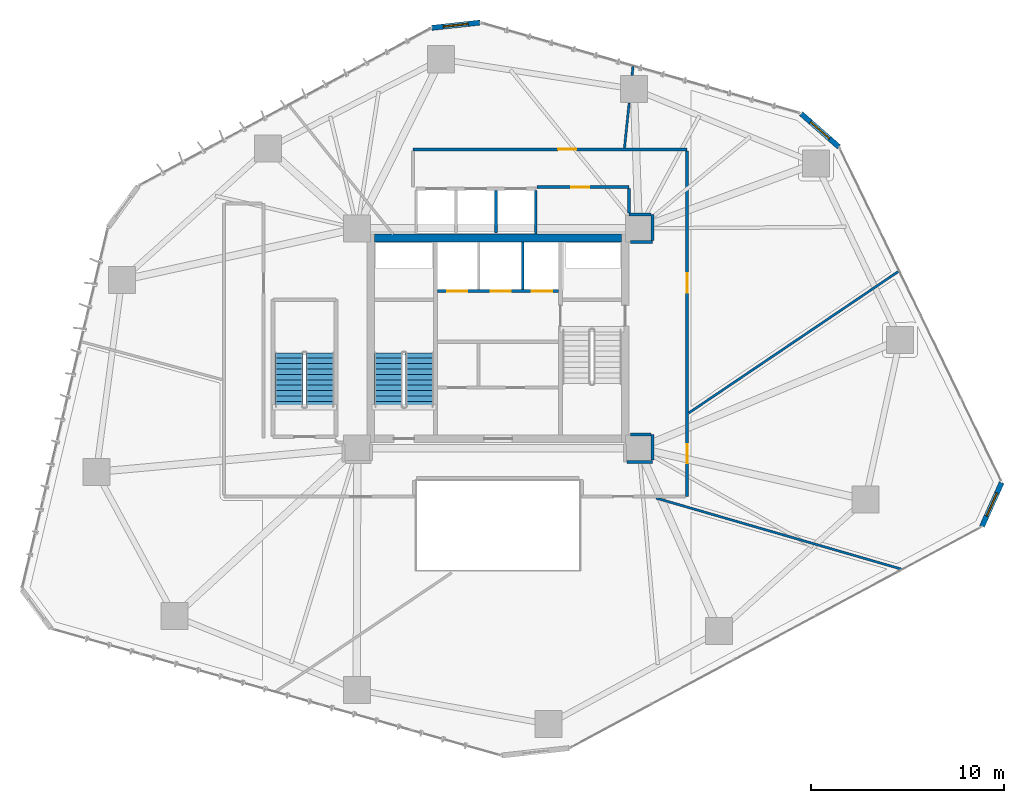
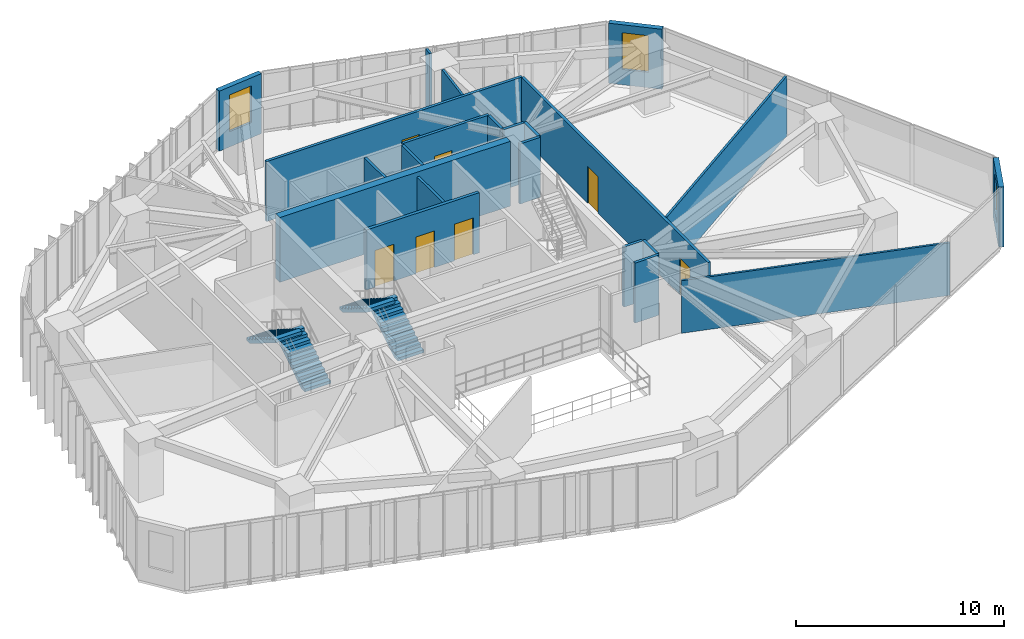
# One storey, part 20 of 24: 22 walls, 7 doors, 4 stair flights, 3 windows, 10 openings, 2 elements without a shape of their own.
"""IFC4 building model written with IfcOpenShell, lengths in metres."""

from ifc_helpers import new_model, si_unit, direction, frame, frame_2d, origin, place, context, subcontext, project, spatial, polyline, rectangle, outline, extrude, source, transform, mapped, material, layer, layer_set, type_object, type_shapes, element, fill, aggregate, save


model = new_model("IFC4")

# Units and contexts
model_context = context("Model", 3, precision=1e-05, world=origin(), true_north=direction((0.0, 1.0)))
body_context = subcontext(model_context, "Body", "Model", "MODEL_VIEW")
ifc_project = project(units=[si_unit("LENGTHUNIT", "METRE"), si_unit("AREAUNIT", "SQUARE_METRE"), si_unit("VOLUMEUNIT", "CUBIC_METRE"), si_unit("PLANEANGLEUNIT", "RADIAN"), si_unit("MASSUNIT", "GRAM", prefix="KILO")], contexts=[model_context])

# Site, building, storey
site_placement = place(None, origin())
site = spatial("IfcSite", under=ifc_project, at=site_placement, CompositionType="ELEMENT")
building_placement = place(site_placement, origin())
building = spatial("IfcBuilding", under=site, at=building_placement, Name="Talar Marvaseh", CompositionType="ELEMENT")
storey_placement = place(building_placement, frame((0.0, 0.0, 43.0)))
storey = spatial("IfcBuildingStorey", under=building, at=storey_placement, Name="L10", CompositionType="ELEMENT", Elevation=43.0)

# Wall, opening, window
ifc_material_1 = material(Name="Precast concrete C45/55", Category="concrete")
ifc_layer_1 = layer(ifc_material_1, 0.27001953125)
ifc_layer_set_1 = layer_set([ifc_layer_1], Name="Precast concrete C45/55")
wall_type_1 = type_object("IfcWallType", Name="Chamfered Hexagonal Corner Pier Wall Z1 270", PredefinedType="SOLIDWALL", material=ifc_layer_set_1)
wall_1_placement = place(storey_placement, frame((22.566650390625, 47.293701171875, 0.0), z_axis=(0.0, 0.0, 1.0), x_axis=(0.994056443023, 0.108865917918, 0.0)))
wall_1 = element("IfcWall", 1, at=wall_1_placement, inside=storey, type_object=wall_type_1, Name="L10 Chamfered Corner Limestone Pier 3", PredefinedType="SOLIDWALL", context=body_context, shape_type="SweptSolid", body=[
    extrude(rectangle(XDim=2.51611328125, YDim=0.27001953125, at=frame_2d((1.258056640625, 0.0))), origin(), (0.0, 0.0, 1.0), 3.52001953125),
])
opening_1_placement = place(wall_1_placement, frame((0.60791015625, 0.0, 0.89990234375)))
opening_1 = element("IfcOpeningElement", 2, at=opening_1_placement, cuts=wall_1, Name="Opening WN-CHM13", PredefinedType="OPENING", context=body_context, shape_type="SweptSolid", body=[
    extrude(rectangle(XDim=1.300048828125, YDim=2.14990234375, at=frame_2d((0.64990234375, 1.074951171875))), frame((0.0, 0.14501953125, 0.0), z_axis=(0.0, -1.0, 0.0), x_axis=(1.0, 0.0, 0.0)), (0.0, 0.0, 1.0), 0.2900390625),
])
ifc_material_2 = material(Name="Laminated Low-E Solar Glass", Category="glass")
window_type = type_object("IfcWindowType", Name="Zone 1 Chamfered Corner Slot Window 1300x2150", PartitioningType="SINGLE_PANEL", PredefinedType="WINDOW", material=ifc_material_2)
shared_shape_1 = source(origin(), body_context, "Body", "SweptSolid", [
    extrude(rectangle(XDim=1.300048828125, YDim=2.14990234375, at=frame_2d((0.64990234375, 1.074951171875))), frame((0.0, 0.030029296875, 0.0), z_axis=(0.0, -1.0, 0.0), x_axis=(1.0, 0.0, 0.0)), (0.0, 0.0, 1.0), 0.06005859375),
])
type_shapes(window_type, [shared_shape_1])
window_1_placement = place(opening_1_placement, origin())
window_1 = element("IfcWindow", 3, at=window_1_placement, inside=storey, type_object=window_type, Name="L10 Chamfered Corner Slot Window", OverallHeight=2.14990234375, OverallWidth=1.300048828125, PartitioningType="SINGLE_PANEL", PredefinedType="WINDOW", context=body_context, shape_type="MappedRepresentation", body=[
    mapped(shared_shape_1, transform((0.0, 0.0, 0.0), x_axis=(1.0, 0.0, 0.0), y_axis=(0.0, 1.0, 0.0), z_axis=(0.0, 0.0, 1.0), scale=1.0)),
])
fill(opening_1, window_1)

wall_2_placement = place(storey_placement, frame((41.70849609375, 42.851806640625, 0.0), z_axis=(0.0, 0.0, 1.0), x_axis=(0.750410651011, -0.660971901709, 0.0)))
wall_2 = element("IfcWall", 4, at=wall_2_placement, inside=storey, type_object=wall_type_1, Name="L10 Chamfered Corner Limestone Pier 4", PredefinedType="SOLIDWALL", context=body_context, shape_type="SweptSolid", body=[
    extrude(rectangle(XDim=2.623291015625, YDim=0.27001953125, at=frame_2d((1.3115234375, 0.0))), origin(), (0.0, 0.0, 1.0), 3.52001953125),
])
opening_2_placement = place(wall_2_placement, frame((0.662109375, 0.0, 0.89990234375)))
opening_2 = element("IfcOpeningElement", 5, at=opening_2_placement, cuts=wall_2, Name="Opening WN-CHM13", PredefinedType="OPENING", context=body_context, shape_type="SweptSolid", body=[
    extrude(rectangle(XDim=1.300048828125, YDim=2.14990234375, at=frame_2d((0.64990234375, 1.074951171875))), frame((0.0, 0.14501953125, 0.0), z_axis=(0.0, -1.0, 0.0), x_axis=(1.0, 0.0, 0.0)), (0.0, 0.0, 1.0), 0.2900390625),
])
window_2_placement = place(opening_2_placement, origin())
window_2 = element("IfcWindow", 6, at=window_2_placement, inside=storey, type_object=window_type, Name="L10 Chamfered Corner Slot Window", OverallHeight=2.14990234375, OverallWidth=1.300048828125, PartitioningType="SINGLE_PANEL", PredefinedType="WINDOW", context=body_context, shape_type="MappedRepresentation", body=[
    mapped(shared_shape_1, transform((0.0, 0.0, 0.0), x_axis=(1.0, 0.0, 0.0), y_axis=(0.0, 1.0, 0.0), z_axis=(0.0, 0.0, 1.0), scale=1.0)),
])
fill(opening_2, window_2)

wall_3_placement = place(storey_placement, frame((52.108642578125, 23.717529296875, 0.0), z_axis=(0.0, 0.0, 1.0), x_axis=(-0.40955534683, -0.912285272205, 0.0)))
wall_3 = element("IfcWall", 7, at=wall_3_placement, inside=storey, type_object=wall_type_1, Name="L10 Chamfered Corner Limestone Pier 5", PredefinedType="SOLIDWALL", context=body_context, shape_type="SweptSolid", body=[
    extrude(rectangle(XDim=2.48388671875, YDim=0.27001953125, at=frame_2d((1.241943359375, 0.0))), origin(), (0.0, 0.0, 1.0), 3.52001953125),
])
opening_3_placement = place(wall_3_placement, frame((0.592041015625, 0.0, 0.89990234375)))
opening_3 = element("IfcOpeningElement", 8, at=opening_3_placement, cuts=wall_3, Name="Opening WN-CHM13", PredefinedType="OPENING", context=body_context, shape_type="SweptSolid", body=[
    extrude(rectangle(XDim=1.300048828125, YDim=2.14990234375, at=frame_2d((0.64990234375, 1.074951171875))), frame((0.0, 0.14501953125, 0.0), z_axis=(0.0, -1.0, 0.0), x_axis=(1.0, 0.0, 0.0)), (0.0, 0.0, 1.0), 0.2900390625),
])
window_3_placement = place(opening_3_placement, origin())
window_3 = element("IfcWindow", 9, at=window_3_placement, inside=storey, type_object=window_type, Name="L10 Chamfered Corner Slot Window", OverallHeight=2.14990234375, OverallWidth=1.300048828125, PartitioningType="SINGLE_PANEL", PredefinedType="WINDOW", context=body_context, shape_type="MappedRepresentation", body=[
    mapped(shared_shape_1, transform((0.0, 0.0, 0.0), x_axis=(1.0, 0.0, 0.0), y_axis=(0.0, 1.0, 0.0), z_axis=(0.0, 0.0, 1.0), scale=1.0)),
])
fill(opening_3, window_3)

# Wall, opening, door
ifc_material_3 = material(Name="Gypsum Board Partition Assembly")
ifc_layer_2 = layer(ifc_material_3, 0.155029296875)
ifc_layer_set_2 = layer_set([ifc_layer_2], Name="Gypsum Board Partition Assembly")
wall_type_2 = type_object("IfcWallType", Name="Corridor Fire-Rated Acoustic Partition 155", PredefinedType="PARTITIONING", material=ifc_layer_set_2)
wall_4_placement = place(storey_placement, frame((32.800048828125, 39.0400390625, 0.0), z_axis=(0.0, 0.0, 1.0), x_axis=(-1.0, 0.0, 0.0)))
wall_4 = element("IfcWall", 10, at=wall_4_placement, inside=storey, type_object=wall_type_2, Name="L10 Interior Partition Wall", PredefinedType="PARTITIONING", context=body_context, shape_type="SweptSolid", body=[
    extrude(rectangle(XDim=4.77001953125, YDim=0.155029296875, at=frame_2d((2.385009765625, 0.0))), origin(), (0.0, 0.0, 1.0), 3.52001953125),
])
opening_4_placement = place(wall_4_placement, frame((2.063720703125, 0.0, 0.0)))
opening_4 = element("IfcOpeningElement", 11, at=opening_4_placement, cuts=wall_4, Name="Opening DR-WC095", PredefinedType="OPENING", context=body_context, shape_type="SweptSolid", body=[
    extrude(rectangle(XDim=0.949951171875, YDim=2.14990234375, at=frame_2d((0.47509765625, 1.074951171875))), frame((0.0, 0.08740234375, 0.0), z_axis=(0.0, -1.0, 0.0), x_axis=(1.0, 0.0, 0.0)), (0.0, 0.0, 1.0), 0.175048828125),
])
ifc_material_4 = material(Name="Acoustic Engineered Oak Timber", Category="wood")
door_type_1 = type_object("IfcDoorType", Name="Washroom and Service Room Door 950x2150", OperationType="NOTDEFINED", PredefinedType="DOOR", material=ifc_material_4)
shared_shape_2 = source(origin(), body_context, "Body", "SweptSolid", [
    extrude(rectangle(XDim=0.949951171875, YDim=2.14990234375, at=frame_2d((0.47509765625, 1.074951171875))), frame((0.0, 0.02490234375, 0.0), z_axis=(0.0, -1.0, 0.0), x_axis=(1.0, 0.0, 0.0)), (0.0, 0.0, 1.0), 0.050048828125),
])
type_shapes(door_type_1, [shared_shape_2])
door_1_placement = place(opening_4_placement, origin())
door_1 = element("IfcDoor", 12, at=door_1_placement, inside=storey, type_object=door_type_1, Name="L10 WC Public Washrooms Door", OperationType="SINGLE_SWING_LEFT", OverallHeight=2.14990234375, OverallWidth=0.949951171875, PredefinedType="DOOR", context=body_context, shape_type="MappedRepresentation", body=[
    mapped(shared_shape_2, transform((0.0, 0.0, 0.0), x_axis=(1.0, 0.0, 0.0), y_axis=(0.0, 1.0, 0.0), z_axis=(0.0, 0.0, 1.0), scale=1.0)),
])
fill(opening_4, door_1)

wall_5_placement = place(storey_placement, frame((21.60009765625, 41.0, 0.0), z_axis=(0.0, 0.0, 1.0), x_axis=(1.0, 0.0, 0.0)))
wall_5 = element("IfcWall", 13, at=wall_5_placement, inside=storey, type_object=wall_type_2, Name="L10 Interior Partition Wall", PredefinedType="PARTITIONING", context=body_context, shape_type="SweptSolid", body=[
    extrude(rectangle(XDim=14.199951171875, YDim=0.155029296875, at=frame_2d((7.10009765625, 0.0))), origin(), (0.0, 0.0, 1.0), 3.52001953125),
])
opening_5_placement = place(wall_5_placement, frame((7.512939453125, 0.0, 0.0)))
opening_5 = element("IfcOpeningElement", 14, at=opening_5_placement, cuts=wall_5, Name="Opening DR-WC095", PredefinedType="OPENING", context=body_context, shape_type="SweptSolid", body=[
    extrude(rectangle(XDim=0.949951171875, YDim=2.14990234375, at=frame_2d((0.47509765625, 1.074951171875))), frame((0.0, 0.08740234375, 0.0), z_axis=(0.0, -1.0, 0.0), x_axis=(1.0, 0.0, 0.0)), (0.0, 0.0, 1.0), 0.175048828125),
])
door_2_placement = place(opening_5_placement, origin())
door_2 = element("IfcDoor", 15, at=door_2_placement, inside=storey, type_object=door_type_1, Name="L10 Accessible WC Block Door", OperationType="SINGLE_SWING_RIGHT", OverallHeight=2.14990234375, OverallWidth=0.949951171875, PredefinedType="DOOR", context=body_context, shape_type="MappedRepresentation", body=[
    mapped(shared_shape_2, transform((0.0, 0.0, 0.0), x_axis=(1.0, 0.0, 0.0), y_axis=(0.0, 1.0, 0.0), z_axis=(0.0, 0.0, 1.0), scale=1.0)),
])
fill(opening_5, door_2)

# Wall, openings, doors
wall_6_placement = place(storey_placement, frame((35.800048828125, 40.91650390625, 0.0), z_axis=(0.0, 0.0, 1.0), x_axis=(0.0, -1.0, 0.0)))
wall_6 = element("IfcWall", 16, at=wall_6_placement, inside=storey, type_object=wall_type_2, Name="L10 Interior Partition Wall", PredefinedType="PARTITIONING", context=body_context, shape_type="SweptSolid", body=[
    extrude(rectangle(XDim=17.91650390625, YDim=0.155029296875, at=frame_2d((8.958251953125, 0.0))), origin(), (0.0, 0.0, 1.0), 3.52001953125),
])
opening_6_placement = place(wall_6_placement, frame((15.19580078125, 0.0, 0.0)))
opening_6 = element("IfcOpeningElement", 17, at=opening_6_placement, cuts=wall_6, Name="Opening DR-RM100", PredefinedType="OPENING", context=body_context, shape_type="SweptSolid", body=[
    extrude(rectangle(XDim=1.0, YDim=2.14990234375, at=frame_2d((0.5, 1.074951171875))), frame((0.0, 0.08740234375, 0.0), z_axis=(0.0, -1.0, 0.0), x_axis=(1.0, 0.0, 0.0)), (0.0, 0.0, 1.0), 0.175048828125),
])
opening_7_placement = place(wall_6_placement, frame((6.35009765625, 0.0, 0.0)))
opening_7 = element("IfcOpeningElement", 18, at=opening_7_placement, cuts=wall_6, Name="Opening DR-RM100", PredefinedType="OPENING", context=body_context, shape_type="SweptSolid", body=[
    extrude(rectangle(XDim=1.0, YDim=2.14990234375, at=frame_2d((0.5, 1.074951171875))), frame((0.0, 0.08740234375, 0.0), z_axis=(0.0, -1.0, 0.0), x_axis=(1.0, 0.0, 0.0)), (0.0, 0.0, 1.0), 0.175048828125),
])
door_type_2 = type_object("IfcDoorType", Name="Corridor Fire-Rated Gallery Door 1000x2150", OperationType="NOTDEFINED", PredefinedType="DOOR", material=ifc_material_4)
shared_shape_3 = source(origin(), body_context, "Body", "SweptSolid", [
    extrude(rectangle(XDim=1.0, YDim=2.14990234375, at=frame_2d((0.5, 1.074951171875))), frame((0.0, 0.02490234375, 0.0), z_axis=(0.0, -1.0, 0.0), x_axis=(1.0, 0.0, 0.0)), (0.0, 0.0, 1.0), 0.050048828125),
])
type_shapes(door_type_2, [shared_shape_3])
door_3_placement = place(opening_6_placement, origin())
door_3 = element("IfcDoor", 19, at=door_3_placement, inside=storey, type_object=door_type_2, Name="L10 Main Reading Room Door", OperationType="SINGLE_SWING_LEFT", OverallHeight=2.14990234375, OverallWidth=1.0, PredefinedType="DOOR", context=body_context, shape_type="MappedRepresentation", body=[
    mapped(shared_shape_3, transform((0.0, 0.0, 0.0), x_axis=(1.0, 0.0, 0.0), y_axis=(0.0, 1.0, 0.0), z_axis=(0.0, 0.0, 1.0), scale=1.0)),
])
fill(opening_6, door_3)
door_4_placement = place(opening_7_placement, origin())
door_4 = element("IfcDoor", 20, at=door_4_placement, inside=storey, type_object=door_type_2, Name="L10 Colloquium Boardroom Door", OperationType="SINGLE_SWING_RIGHT", OverallHeight=2.14990234375, OverallWidth=1.0, PredefinedType="DOOR", context=body_context, shape_type="MappedRepresentation", body=[
    mapped(shared_shape_3, transform((0.0, 0.0, 0.0), x_axis=(1.0, 0.0, 0.0), y_axis=(0.0, 1.0, 0.0), z_axis=(0.0, 0.0, 1.0), scale=1.0)),
])
fill(opening_7, door_4)

# Walls
wall_7_placement = place(storey_placement, frame((32.67529296875, 24.788330078125, 0.0), z_axis=(0.0, 0.0, 1.0), x_axis=(0.999961738884, 0.008747614993, 0.0)))
element("IfcWall", 21, at=wall_7_placement, inside=storey, type_object=wall_type_2, Name="L10 Interior Partition Wall", PredefinedType="PARTITIONING", context=body_context, shape_type="SweptSolid", body=[
    extrude(rectangle(XDim=1.339599609375, YDim=0.155029296875, at=frame_2d((0.669921875, 0.0))), origin(), (0.0, 0.0, 1.0), 3.52001953125),
])
wall_8_placement = place(storey_placement, frame((34.014892578125, 24.883544921875, 0.0), z_axis=(0.0, 0.0, 1.0), x_axis=(-0.002393659134, 0.999997135194, 0.0)))
element("IfcWall", 22, at=wall_8_placement, inside=storey, type_object=wall_type_2, Name="L10 Interior Partition Wall", PredefinedType="PARTITIONING", context=body_context, shape_type="SweptSolid", body=[
    extrude(rectangle(XDim=1.325927734375, YDim=0.155029296875, at=frame_2d((0.6630859375, 0.0))), origin(), (0.0, 0.0, 1.0), 3.52001953125),
])
wall_9_placement = place(storey_placement, frame((33.927978515625, 26.2099609375, 0.0), z_axis=(0.0, 0.0, 1.0), x_axis=(-0.999988255797, 0.004846469737, 0.0)))
element("IfcWall", 23, at=wall_9_placement, inside=storey, type_object=wall_type_2, Name="L10 Interior Partition Wall", PredefinedType="PARTITIONING", context=body_context, shape_type="SweptSolid", body=[
    extrude(rectangle(XDim=1.057861328125, YDim=0.155029296875, at=frame_2d((0.52880859375, 0.0))), origin(), (0.0, 0.0, 1.0), 3.52001953125),
])
wall_10_placement = place(storey_placement, frame((32.8701171875, 36.18505859375, 0.0), z_axis=(0.0, 0.0, 1.0), x_axis=(0.999988932255, 0.00470482389, 0.0)))
element("IfcWall", 24, at=wall_10_placement, inside=storey, type_object=wall_type_2, Name="L10 Interior Partition Wall", PredefinedType="PARTITIONING", context=body_context, shape_type="SweptSolid", body=[
    extrude(rectangle(XDim=1.1416015625, YDim=0.155029296875, at=frame_2d((0.57080078125, 0.0))), origin(), (0.0, 0.0, 1.0), 3.52001953125),
])
wall_11_placement = place(storey_placement, frame((34.01171875, 36.27392578125, 0.0), z_axis=(0.0, 0.0, 1.0), x_axis=(0.0, 1.0, 0.0)))
element("IfcWall", 25, at=wall_11_placement, inside=storey, type_object=wall_type_2, Name="L10 Interior Partition Wall", PredefinedType="PARTITIONING", context=body_context, shape_type="SweptSolid", body=[
    extrude(rectangle(XDim=1.335693359375, YDim=0.155029296875, at=frame_2d((0.66796875, 0.0))), origin(), (0.0, 0.0, 1.0), 3.52001953125),
])
wall_12_placement = place(storey_placement, frame((33.927978515625, 37.60986328125, 0.0), z_axis=(0.0, 0.0, 1.0), x_axis=(-0.999989669582, 0.004545407589, 0.0)))
element("IfcWall", 26, at=wall_12_placement, inside=storey, type_object=wall_type_2, Name="L10 Interior Partition Wall", PredefinedType="PARTITIONING", context=body_context, shape_type="SweptSolid", body=[
    extrude(rectangle(XDim=1.1279296875, YDim=0.155029296875, at=frame_2d((0.56396484375, 0.0))), origin(), (0.0, 0.0, 1.0), 3.52001953125),
])
wall_13_placement = place(storey_placement, frame((32.800048828125, 37.698486328125, 0.0), z_axis=(0.0, 0.0, 1.0), x_axis=(0.0, 1.0, 0.0)))
element("IfcWall", 27, at=wall_13_placement, inside=storey, type_object=wall_type_2, Name="L10 Interior Partition Wall", PredefinedType="PARTITIONING", context=body_context, shape_type="SweptSolid", body=[
    extrude(rectangle(XDim=1.258056640625, YDim=0.155029296875, at=frame_2d((0.62890625, 0.0))), origin(), (0.0, 0.0, 1.0), 3.52001953125),
])
ifc_layer_3 = layer(ifc_material_3, 0.1201171875)
ifc_layer_set_3 = layer_set([ifc_layer_3], Name="Gypsum Board Partition Assembly")
wall_type_3 = type_object("IfcWallType", Name="Demountable Studio Room Partition 120", PredefinedType="PARTITIONING", material=ifc_layer_set_3)
wall_14_placement = place(storey_placement, frame((34.1982421875, 22.91650390625, 0.0), z_axis=(0.0, 0.0, 1.0), x_axis=(0.960555467518, -0.278088464021, 0.0)))
element("IfcWall", 28, at=wall_14_placement, inside=storey, type_object=wall_type_3, Name="L10 Interior Partition Wall", PredefinedType="PARTITIONING", context=body_context, shape_type="SweptSolid", body=[
    extrude(rectangle(XDim=13.265380859375, YDim=0.1201171875, at=frame_2d((6.6328125, 0.0))), origin(), (0.0, 0.0, 1.0), 3.08203125),
])
wall_15_placement = place(storey_placement, frame((35.883544921875, 27.326416015625, 0.0), z_axis=(0.0, 0.0, 1.0), x_axis=(0.828865465884, 0.559447977443, 0.0)))
element("IfcWall", 29, at=wall_15_placement, inside=storey, type_object=wall_type_3, Name="L10 Interior Partition Wall", PredefinedType="PARTITIONING", context=body_context, shape_type="SweptSolid", body=[
    extrude(rectangle(XDim=13.14697265625, YDim=0.1201171875, at=frame_2d((6.573486328125, 0.0))), origin(), (0.0, 0.0, 1.0), 3.52001953125),
])
wall_16_placement = place(storey_placement, frame((32.556640625, 41.064697265625, 0.0), z_axis=(0.0, 0.0, 1.0), x_axis=(0.103672519793, 0.99461148628, 0.0)))
element("IfcWall", 30, at=wall_16_placement, inside=storey, type_object=wall_type_3, Name="L10 Interior Partition Wall", PredefinedType="PARTITIONING", context=body_context, shape_type="SweptSolid", body=[
    extrude(rectangle(XDim=2.347900390625, YDim=0.1201171875, at=frame_2d((1.173828125, 0.0))), origin(), (0.0, 0.0, 1.0), 3.52001953125),
])
wall_17_placement = place(storey_placement, frame((32.949951171875, 44.830078125, 0.0), z_axis=(0.0, 0.0, 1.0), x_axis=(0.102881512501, 0.99469361835, 0.0)))
element("IfcWall", 31, at=wall_17_placement, inside=storey, type_object=wall_type_3, Name="L10 Interior Partition Wall", PredefinedType="PARTITIONING", context=body_context, shape_type="SweptSolid", body=[
    extrude(rectangle(XDim=0.47216796875, YDim=0.1201171875, at=frame_2d((0.236083984375, 0.0))), origin(), (0.0, 0.0, 1.0), 3.52001953125),
])
ifc_layer_4 = layer(ifc_material_1, 0.14501953125)
ifc_layer_set_4 = layer_set([ifc_layer_4], Name="Precast concrete C45/55")
wall_type_4 = type_object("IfcWallType", Name="Fire-Rated Lift Divider Wall 145", PredefinedType="SOLIDWALL", material=ifc_layer_set_4)
wall_18_placement = place(storey_placement, frame((27.280029296875, 33.743408203125, 0.0), z_axis=(0.0, 0.0, 1.0), x_axis=(0.0, 1.0, 0.0)))
element("IfcWall", 32, at=wall_18_placement, inside=storey, type_object=wall_type_4, Name="L10 FFL-2/SVL-1 Divider", PredefinedType="SOLIDWALL", context=body_context, shape_type="SweptSolid", body=[
    extrude(rectangle(XDim=2.45654296875, YDim=0.14501953125, at=frame_2d((1.228271484375, 0.0))), origin(), (0.0, 0.0, 1.0), 3.52001953125),
])
wall_19_placement = place(storey_placement, frame((27.9599609375, 36.60009765625, 0.0), z_axis=(0.0, 0.0, 1.0), x_axis=(0.0, 1.0, 0.0)))
element("IfcWall", 33, at=wall_19_placement, inside=storey, type_object=wall_type_4, Name="L10 Low-Rise Bank East Wall", PredefinedType="SOLIDWALL", context=body_context, shape_type="SweptSolid", body=[
    extrude(rectangle(XDim=2.266357421875, YDim=0.14501953125, at=frame_2d((1.13330078125, 0.0))), origin(), (0.0, 0.0, 1.0), 3.52001953125),
])
wall_20_placement = place(storey_placement, frame((25.889892578125, 36.659912109375, 0.0), z_axis=(0.0, 0.0, 1.0), x_axis=(0.0, 1.0, 0.0)))
element("IfcWall", 34, at=wall_20_placement, inside=storey, type_object=wall_type_4, Name="L10 PL-L2/PL-L3 Divider", PredefinedType="SOLIDWALL", context=body_context, shape_type="SweptSolid", body=[
    extrude(rectangle(XDim=2.20654296875, YDim=0.14501953125, at=frame_2d((1.103271484375, 0.0))), origin(), (0.0, 0.0, 1.0), 3.52001953125),
])

# Wall, openings, doors
ifc_layer_5 = layer(ifc_material_1, 0.175048828125)
ifc_layer_set_5 = layer_set([ifc_layer_5], Name="Precast concrete C45/55")
wall_type_5 = type_object("IfcWallType", Name="Fire-Rated Lift Hoistway Enclosure Wall 175", PredefinedType="SOLIDWALL", material=ifc_layer_set_5)
wall_21_placement = place(storey_placement, frame((22.860107421875, 33.64990234375, 0.0), z_axis=(0.0, 0.0, 1.0), x_axis=(1.0, 0.0, 0.0)))
wall_21 = element("IfcWall", 35, at=wall_21_placement, inside=storey, type_object=wall_type_5, Name="L10 Firefighting and Service Lift Front Wall", PredefinedType="SOLIDWALL", context=body_context, shape_type="SweptSolid", body=[
    extrude(rectangle(XDim=6.27978515625, YDim=0.175048828125, at=frame_2d((3.139892578125, 0.0))), origin(), (0.0, 0.0, 1.0), 3.52001953125),
])
opening_8_placement = place(wall_21_placement, frame((0.5, 0.0, 0.0)))
opening_8 = element("IfcOpeningElement", 36, at=opening_8_placement, cuts=wall_21, Name="Opening LD-FF1", PredefinedType="OPENING", context=body_context, shape_type="SweptSolid", body=[
    extrude(rectangle(XDim=1.050048828125, YDim=2.14990234375, at=frame_2d((0.52490234375, 1.074951171875))), frame((0.0, 0.09765625, 0.0), z_axis=(0.0, -1.0, 0.0), x_axis=(1.0, 0.0, 0.0)), (0.0, 0.0, 1.0), 0.195068359375),
])
opening_9_placement = place(wall_21_placement, frame((2.760009765625, 0.0, 0.0)))
opening_9 = element("IfcOpeningElement", 37, at=opening_9_placement, cuts=wall_21, Name="Opening LD-FF2", PredefinedType="OPENING", context=body_context, shape_type="SweptSolid", body=[
    extrude(rectangle(XDim=1.050048828125, YDim=2.14990234375, at=frame_2d((0.52490234375, 1.074951171875))), frame((0.0, 0.09765625, 0.0), z_axis=(0.0, -1.0, 0.0), x_axis=(1.0, 0.0, 0.0)), (0.0, 0.0, 1.0), 0.195068359375),
])
opening_10_placement = place(wall_21_placement, frame((4.89990234375, 0.0, 0.0)))
opening_10 = element("IfcOpeningElement", 38, at=opening_10_placement, cuts=wall_21, Name="Opening LD-SV1", PredefinedType="OPENING", context=body_context, shape_type="SweptSolid", body=[
    extrude(rectangle(XDim=1.050048828125, YDim=2.14990234375, at=frame_2d((0.52490234375, 1.074951171875))), frame((0.0, 0.09765625, 0.0), z_axis=(0.0, -1.0, 0.0), x_axis=(1.0, 0.0, 0.0)), (0.0, 0.0, 1.0), 0.195068359375),
])
ifc_material_5 = material(Name="Stainless Steel Grade 316", Category="steel")
door_type_3 = type_object("IfcDoorType", Name="Automatic Sliding Lift Landing Door 1050x2150", OperationType="NOTDEFINED", PredefinedType="DOOR", material=ifc_material_5)
shared_shape_4 = source(origin(), body_context, "Body", "SweptSolid", [
    extrude(rectangle(XDim=1.050048828125, YDim=2.14990234375, at=frame_2d((0.52490234375, 1.074951171875))), frame((0.0, 0.02490234375, 0.0), z_axis=(0.0, -1.0, 0.0), x_axis=(1.0, 0.0, 0.0)), (0.0, 0.0, 1.0), 0.050048828125),
])
type_shapes(door_type_3, [shared_shape_4])
door_5_placement = place(opening_8_placement, origin())
door_5 = element("IfcDoor", 39, at=door_5_placement, inside=storey, type_object=door_type_3, Name="L10 Lift FFL-1 Sliding Landing Door", OperationType="SLIDING_TO_LEFT", OverallHeight=2.14990234375, OverallWidth=1.050048828125, PredefinedType="DOOR", context=body_context, shape_type="MappedRepresentation", body=[
    mapped(shared_shape_4, transform((0.0, 0.0, 0.0), x_axis=(1.0, 0.0, 0.0), y_axis=(0.0, 1.0, 0.0), z_axis=(0.0, 0.0, 1.0), scale=1.0)),
])
fill(opening_8, door_5)
door_6_placement = place(opening_9_placement, origin())
door_6 = element("IfcDoor", 40, at=door_6_placement, inside=storey, type_object=door_type_3, Name="L10 Lift FFL-2 Sliding Landing Door", OperationType="SLIDING_TO_LEFT", OverallHeight=2.14990234375, OverallWidth=1.050048828125, PredefinedType="DOOR", context=body_context, shape_type="MappedRepresentation", body=[
    mapped(shared_shape_4, transform((0.0, 0.0, 0.0), x_axis=(1.0, 0.0, 0.0), y_axis=(0.0, 1.0, 0.0), z_axis=(0.0, 0.0, 1.0), scale=1.0)),
])
fill(opening_9, door_6)
door_7_placement = place(opening_10_placement, origin())
door_7 = element("IfcDoor", 41, at=door_7_placement, inside=storey, type_object=door_type_3, Name="L10 Lift SVL-1 Sliding Landing Door", OperationType="SLIDING_TO_LEFT", OverallHeight=2.14990234375, OverallWidth=1.050048828125, PredefinedType="DOOR", context=body_context, shape_type="MappedRepresentation", body=[
    mapped(shared_shape_4, transform((0.0, 0.0, 0.0), x_axis=(1.0, 0.0, 0.0), y_axis=(0.0, 1.0, 0.0), z_axis=(0.0, 0.0, 1.0), scale=1.0)),
])
fill(opening_10, door_7)

# Wall
ifc_material_6 = material(Name="Concrete C70/85", Category="concrete")
ifc_layer_6 = layer(ifc_material_6, 0.39990234375)
ifc_layer_set_6 = layer_set([ifc_layer_6], Name="Concrete C70/85")
wall_type_6 = type_object("IfcWallType", Name="Lower Core Reinforced Concrete Shear Wall 400", PredefinedType="SHEAR", material=ifc_layer_set_6)
wall_22_placement = place(storey_placement, frame((19.60009765625, 36.39990234375, 0.0), z_axis=(0.0, 0.0, 1.0), x_axis=(1.0, 0.0, 0.0)))
element("IfcWall", 42, at=wall_22_placement, inside=storey, type_object=wall_type_6, Name="L10 North Core Shear Wall", PredefinedType="SHEAR", context=body_context, shape_type="SweptSolid", body=[
    extrude(rectangle(XDim=12.7998046875, YDim=0.39990234375, at=frame_2d((6.39990234375, 0.0))), origin(), (0.0, 0.0, 1.0), 3.800048828125),
])

# Stair, stair flights
ifc_material_7 = material(Name="Concrete C40/50", Category="concrete")
stair_type = type_object("IfcStairType", Name="Reinforced Concrete Half-Turn Exit Stair Type B", PredefinedType="HALF_TURN_STAIR", material=ifc_material_7)
stair_1_placement = place(storey_placement, origin())
stair_1 = element("IfcStair", 43, at=stair_1_placement, inside=storey, type_object=stair_type, Name="L10 Tower West Core Exit Stair", PredefinedType="HALF_TURN_STAIR")
ifc_layer_7 = layer(ifc_material_7, 0.159912109375)
ifc_layer_set_7 = layer_set([ifc_layer_7], Name="Concrete C40/50")
stair_flight_type = type_object("IfcStairFlightType", Name="Reinforced Concrete Straight Stair Flight 160", PredefinedType="STRAIGHT", material=ifc_layer_set_7)
stair_flight_1_placement = place(storey_placement, frame((21.93505859375, 27.64990234375, 0.0), z_axis=(0.0, 0.0, 1.0), x_axis=(0.0, 1.0, 0.0)))
stair_flight_1 = element("IfcStairFlight", 44, at=stair_flight_1_placement, type_object=stair_flight_type, Name="ST-1 flight 1", NumberOfRisers=11, NumberOfTreads=10, PredefinedType="STRAIGHT", RiserHeight=0.172727273, TreadLength=0.28, context=body_context, shape_type="SweptSolid", body=[
    extrude(outline(polyline([(0.0, 0.0), (0.0, 0.172607421875), (0.280029296875, 0.172607421875), (0.280029296875, 0.345458984375), (0.56005859375, 0.345458984375), (0.56005859375, 0.51806640625), (0.840087890625, 0.51806640625), (0.840087890625, 0.69091796875), (1.1201171875, 0.69091796875), (1.1201171875, 0.863525390625), (1.39990234375, 0.863525390625), (1.39990234375, 1.036376953125), (1.679931640625, 1.036376953125), (1.679931640625, 1.208984375), (1.9599609375, 1.208984375), (1.9599609375, 1.3818359375), (2.239990234375, 1.3818359375), (2.239990234375, 1.554443359375), (2.52001953125, 1.554443359375), (2.52001953125, 1.727294921875), (2.800048828125, 1.727294921875), (2.800048828125, 1.89990234375), (2.800048828125, 1.539306640625), (0.3046875, 0.0), (0.0, 0.0)])), frame((0.0, 0.72509765625, 0.0), z_axis=(0.0, -1.0, 0.0), x_axis=(1.0, 0.0, 0.0)), (0.0, 0.0, 1.0), 1.449951171875),
])
stair_flight_2_placement = place(storey_placement, frame((20.324951171875, 30.449951171875, 1.89990234375), z_axis=(0.0, 0.0, 1.0), x_axis=(0.0, -1.0, 0.0)))
stair_flight_2 = element("IfcStairFlight", 45, at=stair_flight_2_placement, type_object=stair_flight_type, Name="ST-1 flight 2", NumberOfRisers=11, NumberOfTreads=10, PredefinedType="STRAIGHT", RiserHeight=0.172727273, TreadLength=0.28, context=body_context, shape_type="SweptSolid", body=[
    extrude(outline(polyline([(0.0, 0.0), (0.0, 0.172607421875), (0.280029296875, 0.172607421875), (0.280029296875, 0.345458984375), (0.56005859375, 0.345458984375), (0.56005859375, 0.51806640625), (0.840087890625, 0.51806640625), (0.840087890625, 0.69091796875), (1.1201171875, 0.69091796875), (1.1201171875, 0.863525390625), (1.39990234375, 0.863525390625), (1.39990234375, 1.036376953125), (1.679931640625, 1.036376953125), (1.679931640625, 1.208984375), (1.9599609375, 1.208984375), (1.9599609375, 1.3818359375), (2.239990234375, 1.3818359375), (2.239990234375, 1.554443359375), (2.52001953125, 1.554443359375), (2.52001953125, 1.727294921875), (2.800048828125, 1.727294921875), (2.800048828125, 1.89990234375), (2.800048828125, 1.539306640625), (0.3046875, 0.0), (0.0, 0.0)])), frame((0.0, 0.72509765625, 0.0), z_axis=(0.0, -1.0, 0.0), x_axis=(1.0, 0.0, 0.0)), (0.0, 0.0, 1.0), 1.449951171875),
])
aggregate(stair_1, [stair_flight_1, stair_flight_2])

stair_2_placement = place(storey_placement, origin())
stair_2 = element("IfcStair", 46, at=stair_2_placement, inside=storey, type_object=stair_type, Name="L10 Museum & Podium Auxiliary Exit Stair", PredefinedType="HALF_TURN_STAIR")
stair_flight_3_placement = place(storey_placement, frame((16.77490234375, 27.64990234375, 0.0), z_axis=(0.0, 0.0, 1.0), x_axis=(0.0, 1.0, 0.0)))
stair_flight_3 = element("IfcStairFlight", 47, at=stair_flight_3_placement, type_object=stair_flight_type, Name="ST-3 flight 1", NumberOfRisers=11, NumberOfTreads=10, PredefinedType="STRAIGHT", RiserHeight=0.172727273, TreadLength=0.28, context=body_context, shape_type="SweptSolid", body=[
    extrude(outline(polyline([(0.0, 0.0), (0.0, 0.172607421875), (0.280029296875, 0.172607421875), (0.280029296875, 0.345458984375), (0.56005859375, 0.345458984375), (0.56005859375, 0.51806640625), (0.840087890625, 0.51806640625), (0.840087890625, 0.69091796875), (1.1201171875, 0.69091796875), (1.1201171875, 0.863525390625), (1.39990234375, 0.863525390625), (1.39990234375, 1.036376953125), (1.679931640625, 1.036376953125), (1.679931640625, 1.208984375), (1.9599609375, 1.208984375), (1.9599609375, 1.3818359375), (2.239990234375, 1.3818359375), (2.239990234375, 1.554443359375), (2.52001953125, 1.554443359375), (2.52001953125, 1.727294921875), (2.800048828125, 1.727294921875), (2.800048828125, 1.89990234375), (2.800048828125, 1.539306640625), (0.3046875, 0.0), (0.0, 0.0)])), frame((0.0, 0.72509765625, 0.0), z_axis=(0.0, -1.0, 0.0), x_axis=(1.0, 0.0, 0.0)), (0.0, 0.0, 1.0), 1.449951171875),
])
stair_flight_4_placement = place(storey_placement, frame((15.1650390625, 30.449951171875, 1.89990234375), z_axis=(0.0, 0.0, 1.0), x_axis=(0.0, -1.0, 0.0)))
stair_flight_4 = element("IfcStairFlight", 48, at=stair_flight_4_placement, type_object=stair_flight_type, Name="ST-3 flight 2", NumberOfRisers=11, NumberOfTreads=10, PredefinedType="STRAIGHT", RiserHeight=0.172727273, TreadLength=0.28, context=body_context, shape_type="SweptSolid", body=[
    extrude(outline(polyline([(0.0, 0.0), (0.0, 0.172607421875), (0.280029296875, 0.172607421875), (0.280029296875, 0.345458984375), (0.56005859375, 0.345458984375), (0.56005859375, 0.51806640625), (0.840087890625, 0.51806640625), (0.840087890625, 0.69091796875), (1.1201171875, 0.69091796875), (1.1201171875, 0.863525390625), (1.39990234375, 0.863525390625), (1.39990234375, 1.036376953125), (1.679931640625, 1.036376953125), (1.679931640625, 1.208984375), (1.9599609375, 1.208984375), (1.9599609375, 1.3818359375), (2.239990234375, 1.3818359375), (2.239990234375, 1.554443359375), (2.52001953125, 1.554443359375), (2.52001953125, 1.727294921875), (2.800048828125, 1.727294921875), (2.800048828125, 1.89990234375), (2.800048828125, 1.539306640625), (0.3046875, 0.0), (0.0, 0.0)])), frame((0.0, 0.72509765625, 0.0), z_axis=(0.0, -1.0, 0.0), x_axis=(1.0, 0.0, 0.0)), (0.0, 0.0, 1.0), 1.449951171875),
])
aggregate(stair_2, [stair_flight_3, stair_flight_4])

save(model, "model.ifc")
